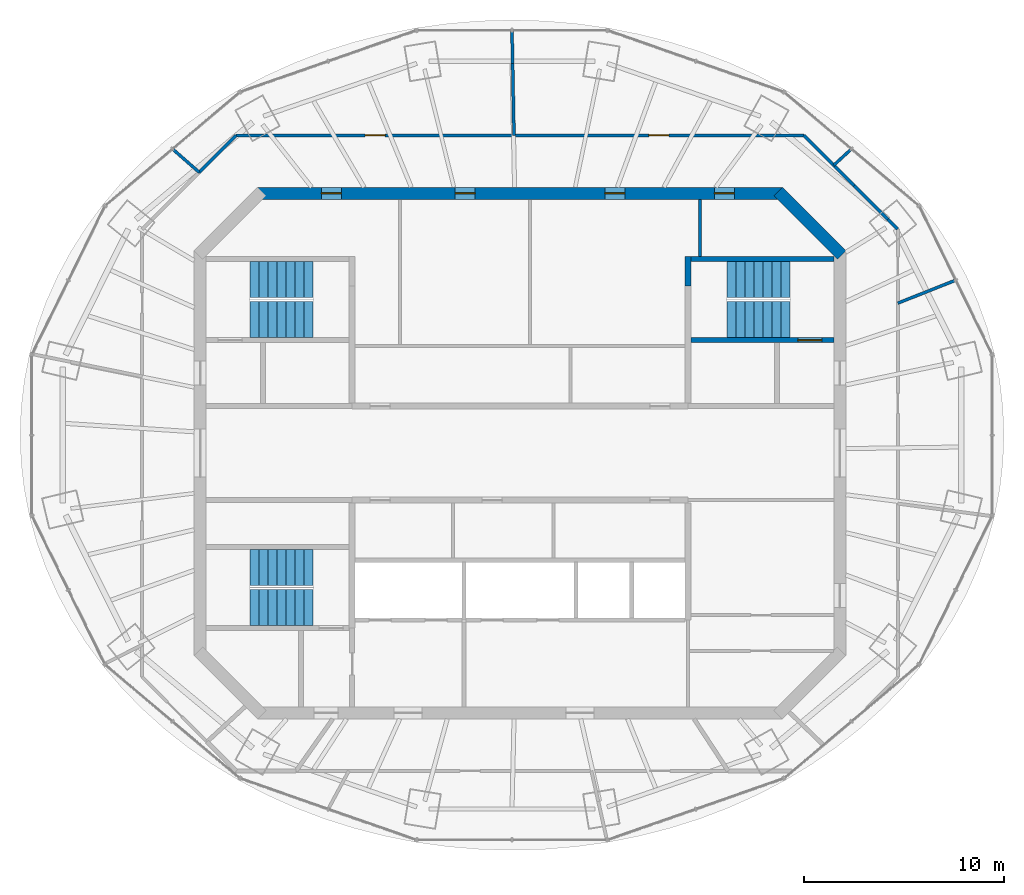
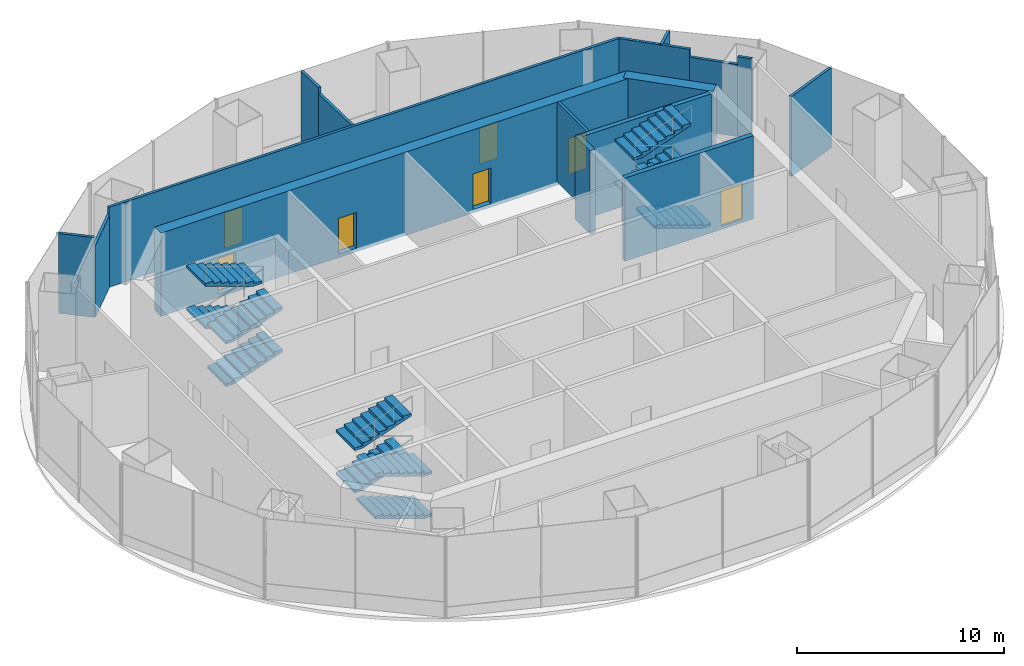
# One storey, part 10 of 11: 16 walls, 12 stair flights, 7 doors, 7 openings, 3 elements without a shape of their own.
"""IFC4 building model written with IfcOpenShell, lengths in metres."""

from ifc_helpers import new_model, si_unit, direction, frame, frame_2d, origin, place, context, subcontext, project, spatial, polyline, rectangle, outline, extrude, material, layer, layer_set, type_object, element, fill, aggregate, save


model = new_model("IFC4")

# Units and contexts
model_context = context("Model", 3, precision=1e-05, world=origin(), true_north=direction((0.0, 1.0)))
body_context = subcontext(model_context, "Body", "Model", "MODEL_VIEW")
ifc_project = project(units=[si_unit("LENGTHUNIT", "METRE"), si_unit("AREAUNIT", "SQUARE_METRE"), si_unit("VOLUMEUNIT", "CUBIC_METRE"), si_unit("PLANEANGLEUNIT", "RADIAN"), si_unit("MASSUNIT", "GRAM", prefix="KILO")], contexts=[model_context])

# Site, building, storey
site_placement = place(None, origin())
site = spatial("IfcSite", under=ifc_project, at=site_placement, CompositionType="ELEMENT")
building_placement = place(site_placement, origin())
building = spatial("IfcBuilding", under=site, at=building_placement, Name="Marenthal Gate Tower", CompositionType="ELEMENT")
storey_placement = place(building_placement, frame((0.0, 0.0, 418.550048828125)))
storey = spatial("IfcBuildingStorey", under=building, at=storey_placement, Name="L94", CompositionType="ELEMENT", Elevation=418.550048828125)

# Wall
ifc_material_1 = material(Name="Concrete 60 MPa", Category="concrete")
ifc_layer_1 = layer(ifc_material_1, 0.60009765625)
ifc_layer_set_1 = layer_set([ifc_layer_1], Name="Core shear wall 600")
wall_type_1 = type_object("IfcWallType", Name="Core shear wall 600", PredefinedType="SHEAR", material=ifc_layer_set_1)
wall_1_placement = place(storey_placement, frame((16.087890625, 9.912109375, -0.199951171875), z_axis=(0.0, 0.0, 1.0), x_axis=(-0.707106781187, 0.707106781187, 0.0)))
element("IfcWall", 1, at=wall_1_placement, inside=storey, type_object=wall_type_1, Name="Core wall 03", PredefinedType="SHEAR", context=body_context, shape_type="SweptSolid", body=[
    extrude(rectangle(XDim=4.4912109375, YDim=0.60009765625, at=frame_2d((2.24560546875, 0.0))), origin(), (0.0, 0.0, 1.0), 4.89990234375),
])

# Wall, openings, doors
wall_2_placement = place(storey_placement, frame((13.124267578125, 13.0, -0.199951171875), z_axis=(0.0, 0.0, 1.0), x_axis=(-1.0, 0.0, 0.0)))
wall_2 = element("IfcWall", 2, at=wall_2_placement, inside=storey, type_object=wall_type_1, Name="Core wall 04", PredefinedType="SHEAR", context=body_context, shape_type="SweptSolid", body=[
    extrude(rectangle(XDim=26.24853515625, YDim=0.60009765625, at=frame_2d((13.124267578125, 0.0))), origin(), (0.0, 0.0, 1.0), 4.89990234375),
])
opening_1_placement = place(wall_2_placement, frame((22.0625, 0.0, 0.199951171875)))
opening_1 = element("IfcOpeningElement", 3, at=opening_1_placement, cuts=wall_2, Name="Opening D005.03", PredefinedType="OPENING", context=body_context, shape_type="SweptSolid", body=[
    extrude(rectangle(XDim=1.0, YDim=2.10009765625, at=frame_2d((0.5, 1.050048828125))), frame((0.0, 0.31005859375, 0.0), z_axis=(0.0, -1.0, 0.0), x_axis=(1.0, 0.0, 0.0)), (0.0, 0.0, 1.0), 0.6201171875),
])
opening_2_placement = place(wall_2_placement, frame((15.374267578125, 0.0, 0.199951171875)))
opening_2 = element("IfcOpeningElement", 4, at=opening_2_placement, cuts=wall_2, Name="Opening D005.04", PredefinedType="OPENING", context=body_context, shape_type="SweptSolid", body=[
    extrude(rectangle(XDim=1.0, YDim=2.10009765625, at=frame_2d((0.5, 1.050048828125))), frame((0.0, 0.31005859375, 0.0), z_axis=(0.0, -1.0, 0.0), x_axis=(1.0, 0.0, 0.0)), (0.0, 0.0, 1.0), 0.6201171875),
])
opening_3_placement = place(wall_2_placement, frame((7.874267578125, 0.0, 0.199951171875)))
opening_3 = element("IfcOpeningElement", 5, at=opening_3_placement, cuts=wall_2, Name="Opening D005.05", PredefinedType="OPENING", context=body_context, shape_type="SweptSolid", body=[
    extrude(rectangle(XDim=1.0, YDim=2.10009765625, at=frame_2d((0.5, 1.050048828125))), frame((0.0, 0.31005859375, 0.0), z_axis=(0.0, -1.0, 0.0), x_axis=(1.0, 0.0, 0.0)), (0.0, 0.0, 1.0), 0.6201171875),
])
opening_4_placement = place(wall_2_placement, frame((2.39990234375, 0.0, 0.199951171875)))
opening_4 = element("IfcOpeningElement", 6, at=opening_4_placement, cuts=wall_2, Name="Opening D005.06", PredefinedType="OPENING", context=body_context, shape_type="SweptSolid", body=[
    extrude(rectangle(XDim=1.0, YDim=2.10009765625, at=frame_2d((0.5, 1.050048828125))), frame((0.0, 0.31005859375, 0.0), z_axis=(0.0, -1.0, 0.0), x_axis=(1.0, 0.0, 0.0)), (0.0, 0.0, 1.0), 0.6201171875),
])
ifc_material_2 = material(Name="Steel fire door", Category="steel")
door_type_1 = type_object("IfcDoorType", Name="Fire door FD 45 1000 x 2100", OperationType="NOTDEFINED", PredefinedType="DOOR", material=ifc_material_2)
door_1_placement = place(opening_1_placement, origin())
door_1 = element("IfcDoor", 7, at=door_1_placement, inside=storey, type_object=door_type_1, Name="Door D005.03", OperationType="SINGLE_SWING_RIGHT", OverallHeight=2.10009765625, OverallWidth=1.0, PredefinedType="DOOR", context=body_context, shape_type="SweptSolid", body=[
    extrude(rectangle(XDim=1.0, YDim=2.10009765625, at=frame_2d((0.5, 1.050048828125))), frame((0.0, 0.02490234375, 0.0), z_axis=(0.0, -1.0, 0.0), x_axis=(1.0, 0.0, 0.0)), (0.0, 0.0, 1.0), 0.050048828125),
])
fill(opening_1, door_1)
door_2_placement = place(opening_2_placement, origin())
door_2 = element("IfcDoor", 8, at=door_2_placement, inside=storey, type_object=door_type_1, Name="Door D005.04", OperationType="SINGLE_SWING_RIGHT", OverallHeight=2.10009765625, OverallWidth=1.0, PredefinedType="DOOR", context=body_context, shape_type="SweptSolid", body=[
    extrude(rectangle(XDim=1.0, YDim=2.10009765625, at=frame_2d((0.5, 1.050048828125))), frame((0.0, 0.02490234375, 0.0), z_axis=(0.0, -1.0, 0.0), x_axis=(1.0, 0.0, 0.0)), (0.0, 0.0, 1.0), 0.050048828125),
])
fill(opening_2, door_2)
door_3_placement = place(opening_3_placement, origin())
door_3 = element("IfcDoor", 9, at=door_3_placement, inside=storey, type_object=door_type_1, Name="Door D005.05", OperationType="SINGLE_SWING_RIGHT", OverallHeight=2.10009765625, OverallWidth=1.0, PredefinedType="DOOR", context=body_context, shape_type="SweptSolid", body=[
    extrude(rectangle(XDim=1.0, YDim=2.10009765625, at=frame_2d((0.5, 1.050048828125))), frame((0.0, 0.02490234375, 0.0), z_axis=(0.0, -1.0, 0.0), x_axis=(1.0, 0.0, 0.0)), (0.0, 0.0, 1.0), 0.050048828125),
])
fill(opening_3, door_3)
door_4_placement = place(opening_4_placement, origin())
door_4 = element("IfcDoor", 10, at=door_4_placement, inside=storey, type_object=door_type_1, Name="Door D005.06", OperationType="SINGLE_SWING_RIGHT", OverallHeight=2.10009765625, OverallWidth=1.0, PredefinedType="DOOR", context=body_context, shape_type="SweptSolid", body=[
    extrude(rectangle(XDim=1.0, YDim=2.10009765625, at=frame_2d((0.5, 1.050048828125))), frame((0.0, 0.02490234375, 0.0), z_axis=(0.0, -1.0, 0.0), x_axis=(1.0, 0.0, 0.0)), (0.0, 0.0, 1.0), 0.050048828125),
])
fill(opening_4, door_4)

# Wall
ifc_material_3 = material(Name="Gypsum board on steel studs", Category="steel")
ifc_layer_2 = layer(ifc_material_3, 0.14990234375)
ifc_layer_set_2 = layer_set([ifc_layer_2], Name="Partition 150")
wall_type_2 = type_object("IfcWallType", Name="Partition 150", PredefinedType="PARTITIONING", material=ifc_layer_set_2)
wall_3_placement = place(storey_placement, frame((9.0, 9.824951171875, 0.0), z_axis=(0.0, 0.0, 1.0), x_axis=(0.0, 1.0, 0.0)))
element("IfcWall", 11, at=wall_3_placement, inside=storey, type_object=wall_type_2, Name="Partition wall 46", PredefinedType="PARTITIONING", context=body_context, shape_type="SweptSolid", body=[
    extrude(rectangle(XDim=2.875, YDim=0.14990234375, at=frame_2d((1.4375, 0.0))), origin(), (0.0, 0.0, 1.0), 4.699951171875),
])

# Wall, openings, doors
wall_4_placement = place(storey_placement, frame((-14.201416015625, 15.89990234375, 0.0), z_axis=(0.0, 0.0, 1.0), x_axis=(1.0, 0.0, 0.0)))
wall_4 = element("IfcWall", 12, at=wall_4_placement, inside=storey, type_object=wall_type_2, Name="Partition wall 49", PredefinedType="PARTITIONING", context=body_context, shape_type="SweptSolid", body=[
    extrude(rectangle(XDim=28.40283203125, YDim=0.14990234375, at=frame_2d((14.201416015625, 0.0))), origin(), (0.0, 0.0, 1.0), 4.699951171875),
])
opening_5_placement = place(wall_4_placement, frame((20.651611328125, 0.0, 0.0)))
opening_5 = element("IfcOpeningElement", 13, at=opening_5_placement, cuts=wall_4, Name="Opening D005.12", PredefinedType="OPENING", context=body_context, shape_type="SweptSolid", body=[
    extrude(rectangle(XDim=1.0, YDim=2.10009765625, at=frame_2d((0.5, 1.050048828125))), frame((0.0, 0.0849609375, 0.0), z_axis=(0.0, -1.0, 0.0), x_axis=(1.0, 0.0, 0.0)), (0.0, 0.0, 1.0), 0.169921875),
])
opening_6_placement = place(wall_4_placement, frame((6.4501953125, 0.0, 0.0)))
opening_6 = element("IfcOpeningElement", 14, at=opening_6_placement, cuts=wall_4, Name="Opening D005.13", PredefinedType="OPENING", context=body_context, shape_type="SweptSolid", body=[
    extrude(rectangle(XDim=1.0, YDim=2.10009765625, at=frame_2d((0.5, 1.050048828125))), frame((0.0, 0.0849609375, 0.0), z_axis=(0.0, -1.0, 0.0), x_axis=(1.0, 0.0, 0.0)), (0.0, 0.0, 1.0), 0.169921875),
])
door_5_placement = place(opening_5_placement, origin())
door_5 = element("IfcDoor", 15, at=door_5_placement, inside=storey, type_object=door_type_1, Name="Door D005.12", OperationType="SINGLE_SWING_RIGHT", OverallHeight=2.10009765625, OverallWidth=1.0, PredefinedType="DOOR", context=body_context, shape_type="SweptSolid", body=[
    extrude(rectangle(XDim=1.0, YDim=2.10009765625, at=frame_2d((0.5, 1.050048828125))), frame((0.0, 0.02490234375, 0.0), z_axis=(0.0, -1.0, 0.0), x_axis=(1.0, 0.0, 0.0)), (0.0, 0.0, 1.0), 0.050048828125),
])
fill(opening_5, door_5)
door_6_placement = place(opening_6_placement, origin())
door_6 = element("IfcDoor", 16, at=door_6_placement, inside=storey, type_object=door_type_1, Name="Door D005.13", OperationType="SINGLE_SWING_RIGHT", OverallHeight=2.10009765625, OverallWidth=1.0, PredefinedType="DOOR", context=body_context, shape_type="SweptSolid", body=[
    extrude(rectangle(XDim=1.0, YDim=2.10009765625, at=frame_2d((0.5, 1.050048828125))), frame((0.0, 0.02490234375, 0.0), z_axis=(0.0, -1.0, 0.0), x_axis=(1.0, 0.0, 0.0)), (0.0, 0.0, 1.0), 0.050048828125),
])
fill(opening_6, door_6)

# Walls
wall_5_placement = place(storey_placement, frame((18.89990234375, 7.5009765625, 0.0), z_axis=(0.0, 0.0, 1.0), x_axis=(0.92946881875, 0.368900684428, 0.0)))
element("IfcWall", 17, at=wall_5_placement, inside=storey, type_object=wall_type_2, Name="Partition wall 50", PredefinedType="PARTITIONING", context=body_context, shape_type="SweptSolid", body=[
    extrude(rectangle(XDim=3.09521484375, YDim=0.14990234375, at=frame_2d((1.547607421875, 0.0))), origin(), (0.0, 0.0, 1.0), 4.699951171875),
])
wall_6_placement = place(storey_placement, frame((15.697509765625, 14.40380859375, 0.0), z_axis=(0.0, 0.0, 1.0), x_axis=(0.736966436557, 0.67592933905, 0.0)))
element("IfcWall", 18, at=wall_6_placement, inside=storey, type_object=wall_type_2, Name="Partition wall 52", PredefinedType="PARTITIONING", context=body_context, shape_type="SweptSolid", body=[
    extrude(rectangle(XDim=1.18798828125, YDim=0.14990234375, at=frame_2d((0.593994140625, 0.0))), origin(), (0.0, 0.0, 1.0), 4.699951171875),
])
wall_7_placement = place(storey_placement, frame((-16.07275390625, 14.028564453125, 0.0), z_axis=(0.0, 0.0, 1.0), x_axis=(0.707106781187, 0.707106781187, 0.0)))
element("IfcWall", 19, at=wall_7_placement, inside=storey, type_object=wall_type_2, Name="Partition wall 72", PredefinedType="PARTITIONING", context=body_context, shape_type="SweptSolid", body=[
    extrude(rectangle(XDim=2.646484375, YDim=0.14990234375, at=frame_2d((1.3232421875, 0.0))), origin(), (0.0, 0.0, 1.0), 4.238037109375),
])
wall_8_placement = place(storey_placement, frame((-0.30078125, 15.89990234375, 0.0), z_axis=(0.0, 0.0, 1.0), x_axis=(-0.018863287148, 0.99982207237, 0.0)))
element("IfcWall", 20, at=wall_8_placement, inside=storey, type_object=wall_type_2, Name="Partition wall 58", PredefinedType="PARTITIONING", context=body_context, shape_type="SweptSolid", body=[
    extrude(rectangle(XDim=3.59814453125, YDim=0.14990234375, at=frame_2d((1.799072265625, 0.0))), origin(), (0.0, 0.0, 1.0), 4.346923828125),
])
wall_9_placement = place(storey_placement, frame((-0.36865234375, 19.497314453125, 0.0), z_axis=(0.0, 0.0, 1.0), x_axis=(-0.018963136695, 0.999820183556, 0.0)))
element("IfcWall", 21, at=wall_9_placement, inside=storey, type_object=wall_type_2, Name="Partition wall 73", PredefinedType="PARTITIONING", context=body_context, shape_type="SweptSolid", body=[
    extrude(rectangle(XDim=1.635009765625, YDim=0.14990234375, at=frame_2d((0.8173828125, 0.0))), origin(), (0.0, 0.0, 1.0), 4.699951171875),
])
wall_10_placement = place(storey_placement, frame((18.89990234375, 11.201171875, 0.0), z_axis=(0.0, 0.0, 1.0), x_axis=(-0.707283756971, 0.706929761097, 0.0)))
element("IfcWall", 22, at=wall_10_placement, inside=storey, type_object=wall_type_2, Name="Partition wall 60", PredefinedType="PARTITIONING", context=body_context, shape_type="SweptSolid", body=[
    extrude(rectangle(XDim=0.689697265625, YDim=0.14990234375, at=frame_2d((0.3447265625, 0.0))), origin(), (0.0, 0.0, 1.0), 4.699951171875),
])
wall_11_placement = place(storey_placement, frame((18.412109375, 11.688720703125, 0.0), z_axis=(0.0, 0.0, 1.0), x_axis=(-0.707055846068, 0.707157712636, 0.0)))
element("IfcWall", 23, at=wall_11_placement, inside=storey, type_object=wall_type_2, Name="Partition wall 75", PredefinedType="PARTITIONING", context=body_context, shape_type="SweptSolid", body=[
    extrude(rectangle(XDim=2.396728515625, YDim=0.14990234375, at=frame_2d((1.1982421875, 0.0))), origin(), (0.0, 0.0, 1.0), 4.238037109375),
])
wall_12_placement = place(storey_placement, frame((16.717529296875, 13.383544921875, 0.0), z_axis=(0.0, 0.0, 1.0), x_axis=(-0.707072476431, 0.707141084278, 0.0)))
element("IfcWall", 24, at=wall_12_placement, inside=storey, type_object=wall_type_2, Name="Partition wall 76", PredefinedType="PARTITIONING", context=body_context, shape_type="SweptSolid", body=[
    extrude(rectangle(XDim=3.55859375, YDim=0.14990234375, at=frame_2d((1.779296875, 0.0))), origin(), (0.0, 0.0, 1.0), 4.699951171875),
])
wall_13_placement = place(storey_placement, frame((-16.05078125, 14.05029296875, 0.0), z_axis=(0.0, 0.0, 1.0), x_axis=(-0.75245614782, 0.658642350299, 0.0)))
element("IfcWall", 25, at=wall_13_placement, inside=storey, type_object=wall_type_2, Name="Partition wall 62", PredefinedType="PARTITIONING", context=body_context, shape_type="SweptSolid", body=[
    extrude(rectangle(XDim=1.756591796875, YDim=0.14990234375, at=frame_2d((0.87841796875, 0.0))), origin(), (0.0, 0.0, 1.0), 4.699951171875),
])

# Wall, opening, door
ifc_material_4 = material(Name="Concrete 50 MPa", Category="concrete")
ifc_layer_3 = layer(ifc_material_4, 0.25)
ifc_layer_set_3 = layer_set([ifc_layer_3], Name="Stair shear wall 250")
wall_type_3 = type_object("IfcWallType", Name="Stair shear wall 250", PredefinedType="SHEAR", material=ifc_layer_set_3)
wall_14_placement = place(storey_placement, frame((8.550048828125, 5.64990234375, -0.199951171875), z_axis=(0.0, 0.0, 1.0), x_axis=(1.0, 0.0, 0.0)))
wall_14 = element("IfcWall", 26, at=wall_14_placement, inside=storey, type_object=wall_type_3, Name="Stair wall 24", PredefinedType="SHEAR", context=body_context, shape_type="SweptSolid", body=[
    extrude(rectangle(XDim=7.14990234375, YDim=0.25, at=frame_2d((3.574951171875, 0.0))), origin(), (0.0, 0.0, 1.0), 4.89990234375),
])
opening_7_placement = place(wall_14_placement, frame((5.35009765625, 0.0, 0.199951171875)))
opening_7 = element("IfcOpeningElement", 27, at=opening_7_placement, cuts=wall_14, Name="Opening D001.02", PredefinedType="OPENING", context=body_context, shape_type="SweptSolid", body=[
    extrude(rectangle(XDim=1.199951171875, YDim=2.10009765625, at=frame_2d((0.60009765625, 1.050048828125))), frame((0.0, 0.135009765625, 0.0), z_axis=(0.0, -1.0, 0.0), x_axis=(1.0, 0.0, 0.0)), (0.0, 0.0, 1.0), 0.27001953125),
])
ifc_material_5 = material(Name="Steel fire door", Category="steel")
door_type_2 = type_object("IfcDoorType", Name="Fire door FD 90 1200 x 2100", OperationType="NOTDEFINED", PredefinedType="DOOR", material=ifc_material_5)
door_7_placement = place(opening_7_placement, origin())
door_7 = element("IfcDoor", 28, at=door_7_placement, inside=storey, type_object=door_type_2, Name="Door D001.02", OperationType="SINGLE_SWING_RIGHT", OverallHeight=2.10009765625, OverallWidth=1.199951171875, PredefinedType="DOOR", context=body_context, shape_type="SweptSolid", body=[
    extrude(rectangle(XDim=1.199951171875, YDim=2.10009765625, at=frame_2d((0.60009765625, 1.050048828125))), frame((0.0, 0.02490234375, 0.0), z_axis=(0.0, -1.0, 0.0), x_axis=(1.0, 0.0, 0.0)), (0.0, 0.0, 1.0), 0.050048828125),
])
fill(opening_7, door_7)

# Walls
wall_15_placement = place(storey_placement, frame((8.550048828125, 9.699951171875, -0.199951171875), z_axis=(0.0, 0.0, 1.0), x_axis=(1.0, 0.0, 0.0)))
element("IfcWall", 29, at=wall_15_placement, inside=storey, type_object=wall_type_3, Name="Stair wall 26", PredefinedType="SHEAR", context=body_context, shape_type="SweptSolid", body=[
    extrude(rectangle(XDim=7.14990234375, YDim=0.25, at=frame_2d((3.574951171875, 0.0))), origin(), (0.0, 0.0, 1.0), 4.89990234375),
])
ifc_material_6 = material(Name="Concrete 50 MPa", Category="concrete")
ifc_layer_4 = layer(ifc_material_6, 0.300048828125)
ifc_layer_set_4 = layer_set([ifc_layer_4], Name="Stair shear wall 300")
wall_type_4 = type_object("IfcWallType", Name="Stair shear wall 300", PredefinedType="SHEAR", material=ifc_layer_set_4)
wall_16_placement = place(storey_placement, frame((8.39990234375, 8.35009765625, -0.199951171875), z_axis=(0.0, 0.0, 1.0), x_axis=(0.0, 1.0, 0.0)))
element("IfcWall", 30, at=wall_16_placement, inside=storey, type_object=wall_type_4, Name="Stair wall 45", PredefinedType="SHEAR", context=body_context, shape_type="SweptSolid", body=[
    extrude(rectangle(XDim=1.474853515625, YDim=0.300048828125, at=frame_2d((0.7373046875, 0.0))), origin(), (0.0, 0.0, 1.0), 4.89990234375),
])

# Stair, stair flights
ifc_material_7 = material(Name="Concrete 40 MPa", Category="concrete")
stair_type = type_object("IfcStairType", Name="Exit stair 1800", PredefinedType="HALF_TURN_STAIR", material=ifc_material_7)
stair_1_placement = place(storey_placement, origin())
stair_1 = element("IfcStair", 31, at=stair_1_placement, inside=storey, type_object=stair_type, Name="Stair ST1", PredefinedType="HALF_TURN_STAIR")
ifc_material_8 = material(Name="Concrete 40 MPa", Category="concrete")
stair_flight_type = type_object("IfcStairFlightType", Name="Stair flight 1800", PredefinedType="STRAIGHT", material=ifc_material_8)
stair_flight_1_placement = place(storey_placement, frame((-13.5, 6.675048828125, 0.0), z_axis=(0.0, 0.0, 1.0), x_axis=(1.0, 0.0, 0.0)))
stair_flight_1 = element("IfcStairFlight", 32, at=stair_flight_1_placement, type_object=stair_flight_type, Name="ST1 flight 1", NumberOfRisers=8, NumberOfTreads=7, PredefinedType="STRAIGHT", RiserHeight=0.15625, TreadLength=0.45, context=body_context, shape_type="SweptSolid", body=[
    extrude(outline(polyline([(0.0, 0.0), (0.0, 0.15625), (0.449951171875, 0.15625), (0.449951171875, 0.3125), (0.89990234375, 0.3125), (0.89990234375, 0.46875), (1.35009765625, 0.46875), (1.35009765625, 0.625), (1.800048828125, 0.625), (1.800048828125, 0.78125), (2.25, 0.78125), (2.25, 0.9375), (2.699951171875, 0.9375), (2.699951171875, 1.09375), (3.14990234375, 1.09375), (3.14990234375, 1.25), (3.14990234375, 0.93505859375), (0.45703125, 0.0), (0.0, 0.0)])), frame((0.0, 0.89990234375, 0.0), z_axis=(0.0, -1.0, 0.0), x_axis=(1.0, 0.0, 0.0)), (0.0, 0.0, 1.0), 1.800048828125),
])
stair_flight_2_placement = place(storey_placement, frame((-10.35009765625, 8.675048828125, 1.25), z_axis=(0.0, 0.0, 1.0), x_axis=(-1.0, 0.0, 0.0)))
stair_flight_2 = element("IfcStairFlight", 33, at=stair_flight_2_placement, type_object=stair_flight_type, Name="ST1 flight 2", NumberOfRisers=8, NumberOfTreads=7, PredefinedType="STRAIGHT", RiserHeight=0.15625, TreadLength=0.45, context=body_context, shape_type="SweptSolid", body=[
    extrude(outline(polyline([(0.0, 0.0), (0.0, 0.15625), (0.449951171875, 0.15625), (0.449951171875, 0.3125), (0.89990234375, 0.3125), (0.89990234375, 0.46875), (1.35009765625, 0.46875), (1.35009765625, 0.625), (1.800048828125, 0.625), (1.800048828125, 0.78125), (2.25, 0.78125), (2.25, 0.9375), (2.699951171875, 0.9375), (2.699951171875, 1.09375), (3.14990234375, 1.09375), (3.14990234375, 1.25), (3.14990234375, 0.93505859375), (0.45703125, 0.0), (0.0, 0.0)])), frame((0.0, 0.89990234375, 0.0), z_axis=(0.0, -1.0, 0.0), x_axis=(1.0, 0.0, 0.0)), (0.0, 0.0, 1.0), 1.800048828125),
])
stair_flight_3_placement = place(storey_placement, frame((-13.5, 6.675048828125, 2.5), z_axis=(0.0, 0.0, 1.0), x_axis=(1.0, 0.0, 0.0)))
stair_flight_3 = element("IfcStairFlight", 34, at=stair_flight_3_placement, type_object=stair_flight_type, Name="ST1 flight 3", NumberOfRisers=8, NumberOfTreads=7, PredefinedType="STRAIGHT", RiserHeight=0.15625, TreadLength=0.45, context=body_context, shape_type="SweptSolid", body=[
    extrude(outline(polyline([(0.0, 0.0), (0.0, 0.15625), (0.449951171875, 0.15625), (0.449951171875, 0.3125), (0.89990234375, 0.3125), (0.89990234375, 0.46875), (1.35009765625, 0.46875), (1.35009765625, 0.625), (1.800048828125, 0.625), (1.800048828125, 0.78125), (2.25, 0.78125), (2.25, 0.9375), (2.699951171875, 0.9375), (2.699951171875, 1.09375), (3.14990234375, 1.09375), (3.14990234375, 1.25), (3.14990234375, 0.93505859375), (0.45703125, 0.0), (0.0, 0.0)])), frame((0.0, 0.89990234375, 0.0), z_axis=(0.0, -1.0, 0.0), x_axis=(1.0, 0.0, 0.0)), (0.0, 0.0, 1.0), 1.800048828125),
])
stair_flight_4_placement = place(storey_placement, frame((-10.35009765625, 8.675048828125, 3.75), z_axis=(0.0, 0.0, 1.0), x_axis=(-1.0, 0.0, 0.0)))
stair_flight_4 = element("IfcStairFlight", 35, at=stair_flight_4_placement, type_object=stair_flight_type, Name="ST1 flight 4", NumberOfRisers=8, NumberOfTreads=7, PredefinedType="STRAIGHT", RiserHeight=0.15625, TreadLength=0.45, context=body_context, shape_type="SweptSolid", body=[
    extrude(outline(polyline([(0.0, 0.0), (0.0, 0.15625), (0.449951171875, 0.15625), (0.449951171875, 0.3125), (0.89990234375, 0.3125), (0.89990234375, 0.46875), (1.35009765625, 0.46875), (1.35009765625, 0.625), (1.800048828125, 0.625), (1.800048828125, 0.78125), (2.25, 0.78125), (2.25, 0.9375), (2.699951171875, 0.9375), (2.699951171875, 1.09375), (3.14990234375, 1.09375), (3.14990234375, 1.25), (3.14990234375, 0.93505859375), (0.45703125, 0.0), (0.0, 0.0)])), frame((0.0, 0.89990234375, 0.0), z_axis=(0.0, -1.0, 0.0), x_axis=(1.0, 0.0, 0.0)), (0.0, 0.0, 1.0), 1.800048828125),
])
aggregate(stair_1, [stair_flight_1, stair_flight_2, stair_flight_3, stair_flight_4])

stair_2_placement = place(storey_placement, origin())
stair_2 = element("IfcStair", 36, at=stair_2_placement, inside=storey, type_object=stair_type, Name="Stair ST2", PredefinedType="HALF_TURN_STAIR")
stair_flight_5_placement = place(storey_placement, frame((-10.35009765625, -7.72509765625, 0.0), z_axis=(0.0, 0.0, 1.0), x_axis=(-1.0, 0.0, 0.0)))
stair_flight_5 = element("IfcStairFlight", 37, at=stair_flight_5_placement, type_object=stair_flight_type, Name="ST2 flight 1", NumberOfRisers=8, NumberOfTreads=7, PredefinedType="STRAIGHT", RiserHeight=0.15625, TreadLength=0.45, context=body_context, shape_type="SweptSolid", body=[
    extrude(outline(polyline([(0.0, 0.0), (0.0, 0.15625), (0.449951171875, 0.15625), (0.449951171875, 0.3125), (0.89990234375, 0.3125), (0.89990234375, 0.46875), (1.35009765625, 0.46875), (1.35009765625, 0.625), (1.800048828125, 0.625), (1.800048828125, 0.78125), (2.25, 0.78125), (2.25, 0.9375), (2.699951171875, 0.9375), (2.699951171875, 1.09375), (3.14990234375, 1.09375), (3.14990234375, 1.25), (3.14990234375, 0.93505859375), (0.45703125, 0.0), (0.0, 0.0)])), frame((0.0, 0.89990234375, 0.0), z_axis=(0.0, -1.0, 0.0), x_axis=(1.0, 0.0, 0.0)), (0.0, 0.0, 1.0), 1.800048828125),
])
stair_flight_6_placement = place(storey_placement, frame((-13.5, -5.72509765625, 1.25), z_axis=(0.0, 0.0, 1.0), x_axis=(1.0, 0.0, 0.0)))
stair_flight_6 = element("IfcStairFlight", 38, at=stair_flight_6_placement, type_object=stair_flight_type, Name="ST2 flight 2", NumberOfRisers=8, NumberOfTreads=7, PredefinedType="STRAIGHT", RiserHeight=0.15625, TreadLength=0.45, context=body_context, shape_type="SweptSolid", body=[
    extrude(outline(polyline([(0.0, 0.0), (0.0, 0.15625), (0.449951171875, 0.15625), (0.449951171875, 0.3125), (0.89990234375, 0.3125), (0.89990234375, 0.46875), (1.35009765625, 0.46875), (1.35009765625, 0.625), (1.800048828125, 0.625), (1.800048828125, 0.78125), (2.25, 0.78125), (2.25, 0.9375), (2.699951171875, 0.9375), (2.699951171875, 1.09375), (3.14990234375, 1.09375), (3.14990234375, 1.25), (3.14990234375, 0.93505859375), (0.45703125, 0.0), (0.0, 0.0)])), frame((0.0, 0.89990234375, 0.0), z_axis=(0.0, -1.0, 0.0), x_axis=(1.0, 0.0, 0.0)), (0.0, 0.0, 1.0), 1.800048828125),
])
stair_flight_7_placement = place(storey_placement, frame((-10.35009765625, -7.72509765625, 2.5), z_axis=(0.0, 0.0, 1.0), x_axis=(-1.0, 0.0, 0.0)))
stair_flight_7 = element("IfcStairFlight", 39, at=stair_flight_7_placement, type_object=stair_flight_type, Name="ST2 flight 3", NumberOfRisers=8, NumberOfTreads=7, PredefinedType="STRAIGHT", RiserHeight=0.15625, TreadLength=0.45, context=body_context, shape_type="SweptSolid", body=[
    extrude(outline(polyline([(0.0, 0.0), (0.0, 0.15625), (0.449951171875, 0.15625), (0.449951171875, 0.3125), (0.89990234375, 0.3125), (0.89990234375, 0.46875), (1.35009765625, 0.46875), (1.35009765625, 0.625), (1.800048828125, 0.625), (1.800048828125, 0.78125), (2.25, 0.78125), (2.25, 0.9375), (2.699951171875, 0.9375), (2.699951171875, 1.09375), (3.14990234375, 1.09375), (3.14990234375, 1.25), (3.14990234375, 0.93505859375), (0.45703125, 0.0), (0.0, 0.0)])), frame((0.0, 0.89990234375, 0.0), z_axis=(0.0, -1.0, 0.0), x_axis=(1.0, 0.0, 0.0)), (0.0, 0.0, 1.0), 1.800048828125),
])
stair_flight_8_placement = place(storey_placement, frame((-13.5, -5.72509765625, 3.75), z_axis=(0.0, 0.0, 1.0), x_axis=(1.0, 0.0, 0.0)))
stair_flight_8 = element("IfcStairFlight", 40, at=stair_flight_8_placement, type_object=stair_flight_type, Name="ST2 flight 4", NumberOfRisers=8, NumberOfTreads=7, PredefinedType="STRAIGHT", RiserHeight=0.15625, TreadLength=0.45, context=body_context, shape_type="SweptSolid", body=[
    extrude(outline(polyline([(0.0, 0.0), (0.0, 0.15625), (0.449951171875, 0.15625), (0.449951171875, 0.3125), (0.89990234375, 0.3125), (0.89990234375, 0.46875), (1.35009765625, 0.46875), (1.35009765625, 0.625), (1.800048828125, 0.625), (1.800048828125, 0.78125), (2.25, 0.78125), (2.25, 0.9375), (2.699951171875, 0.9375), (2.699951171875, 1.09375), (3.14990234375, 1.09375), (3.14990234375, 1.25), (3.14990234375, 0.93505859375), (0.45703125, 0.0), (0.0, 0.0)])), frame((0.0, 0.89990234375, 0.0), z_axis=(0.0, -1.0, 0.0), x_axis=(1.0, 0.0, 0.0)), (0.0, 0.0, 1.0), 1.800048828125),
])
aggregate(stair_2, [stair_flight_5, stair_flight_6, stair_flight_7, stair_flight_8])

stair_3_placement = place(storey_placement, origin())
stair_3 = element("IfcStair", 41, at=stair_3_placement, inside=storey, type_object=stair_type, Name="Stair ST3", PredefinedType="HALF_TURN_STAIR")
stair_flight_9_placement = place(storey_placement, frame((13.5, 6.675048828125, 0.0), z_axis=(0.0, 0.0, 1.0), x_axis=(-1.0, 0.0, 0.0)))
stair_flight_9 = element("IfcStairFlight", 42, at=stair_flight_9_placement, type_object=stair_flight_type, Name="ST3 flight 1", NumberOfRisers=8, NumberOfTreads=7, PredefinedType="STRAIGHT", RiserHeight=0.15625, TreadLength=0.45, context=body_context, shape_type="SweptSolid", body=[
    extrude(outline(polyline([(0.0, 0.0), (0.0, 0.15625), (0.449951171875, 0.15625), (0.449951171875, 0.3125), (0.89990234375, 0.3125), (0.89990234375, 0.46875), (1.35009765625, 0.46875), (1.35009765625, 0.625), (1.800048828125, 0.625), (1.800048828125, 0.78125), (2.25, 0.78125), (2.25, 0.9375), (2.699951171875, 0.9375), (2.699951171875, 1.09375), (3.14990234375, 1.09375), (3.14990234375, 1.25), (3.14990234375, 0.93505859375), (0.45703125, 0.0), (0.0, 0.0)])), frame((0.0, 0.89990234375, 0.0), z_axis=(0.0, -1.0, 0.0), x_axis=(1.0, 0.0, 0.0)), (0.0, 0.0, 1.0), 1.800048828125),
])
stair_flight_10_placement = place(storey_placement, frame((10.35009765625, 8.675048828125, 1.25), z_axis=(0.0, 0.0, 1.0), x_axis=(1.0, 0.0, 0.0)))
stair_flight_10 = element("IfcStairFlight", 43, at=stair_flight_10_placement, type_object=stair_flight_type, Name="ST3 flight 2", NumberOfRisers=8, NumberOfTreads=7, PredefinedType="STRAIGHT", RiserHeight=0.15625, TreadLength=0.45, context=body_context, shape_type="SweptSolid", body=[
    extrude(outline(polyline([(0.0, 0.0), (0.0, 0.15625), (0.449951171875, 0.15625), (0.449951171875, 0.3125), (0.89990234375, 0.3125), (0.89990234375, 0.46875), (1.35009765625, 0.46875), (1.35009765625, 0.625), (1.800048828125, 0.625), (1.800048828125, 0.78125), (2.25, 0.78125), (2.25, 0.9375), (2.699951171875, 0.9375), (2.699951171875, 1.09375), (3.14990234375, 1.09375), (3.14990234375, 1.25), (3.14990234375, 0.93505859375), (0.45703125, 0.0), (0.0, 0.0)])), frame((0.0, 0.89990234375, 0.0), z_axis=(0.0, -1.0, 0.0), x_axis=(1.0, 0.0, 0.0)), (0.0, 0.0, 1.0), 1.800048828125),
])
stair_flight_11_placement = place(storey_placement, frame((13.5, 6.675048828125, 2.5), z_axis=(0.0, 0.0, 1.0), x_axis=(-1.0, 0.0, 0.0)))
stair_flight_11 = element("IfcStairFlight", 44, at=stair_flight_11_placement, type_object=stair_flight_type, Name="ST3 flight 3", NumberOfRisers=8, NumberOfTreads=7, PredefinedType="STRAIGHT", RiserHeight=0.15625, TreadLength=0.45, context=body_context, shape_type="SweptSolid", body=[
    extrude(outline(polyline([(0.0, 0.0), (0.0, 0.15625), (0.449951171875, 0.15625), (0.449951171875, 0.3125), (0.89990234375, 0.3125), (0.89990234375, 0.46875), (1.35009765625, 0.46875), (1.35009765625, 0.625), (1.800048828125, 0.625), (1.800048828125, 0.78125), (2.25, 0.78125), (2.25, 0.9375), (2.699951171875, 0.9375), (2.699951171875, 1.09375), (3.14990234375, 1.09375), (3.14990234375, 1.25), (3.14990234375, 0.93505859375), (0.45703125, 0.0), (0.0, 0.0)])), frame((0.0, 0.89990234375, 0.0), z_axis=(0.0, -1.0, 0.0), x_axis=(1.0, 0.0, 0.0)), (0.0, 0.0, 1.0), 1.800048828125),
])
stair_flight_12_placement = place(storey_placement, frame((10.35009765625, 8.675048828125, 3.75), z_axis=(0.0, 0.0, 1.0), x_axis=(1.0, 0.0, 0.0)))
stair_flight_12 = element("IfcStairFlight", 45, at=stair_flight_12_placement, type_object=stair_flight_type, Name="ST3 flight 4", NumberOfRisers=8, NumberOfTreads=7, PredefinedType="STRAIGHT", RiserHeight=0.15625, TreadLength=0.45, context=body_context, shape_type="SweptSolid", body=[
    extrude(outline(polyline([(0.0, 0.0), (0.0, 0.15625), (0.449951171875, 0.15625), (0.449951171875, 0.3125), (0.89990234375, 0.3125), (0.89990234375, 0.46875), (1.35009765625, 0.46875), (1.35009765625, 0.625), (1.800048828125, 0.625), (1.800048828125, 0.78125), (2.25, 0.78125), (2.25, 0.9375), (2.699951171875, 0.9375), (2.699951171875, 1.09375), (3.14990234375, 1.09375), (3.14990234375, 1.25), (3.14990234375, 0.93505859375), (0.45703125, 0.0), (0.0, 0.0)])), frame((0.0, 0.89990234375, 0.0), z_axis=(0.0, -1.0, 0.0), x_axis=(1.0, 0.0, 0.0)), (0.0, 0.0, 1.0), 1.800048828125),
])
aggregate(stair_3, [stair_flight_9, stair_flight_10, stair_flight_11, stair_flight_12])

save(model, "model.ifc")
